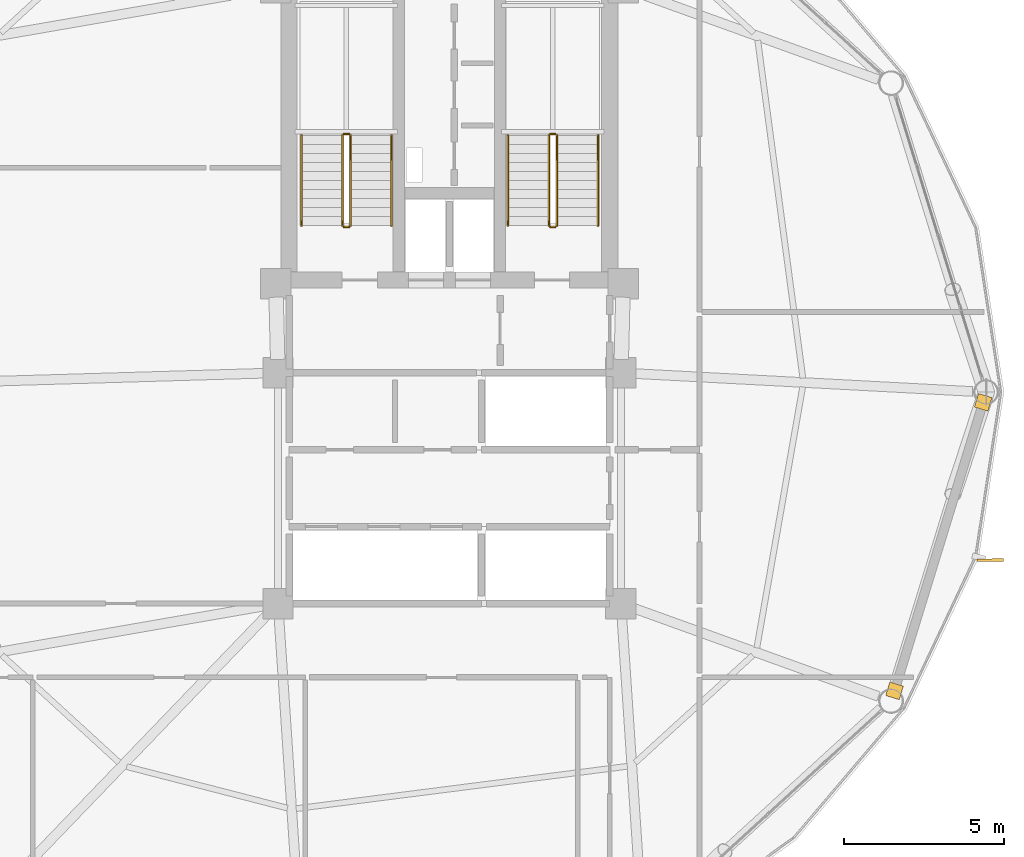
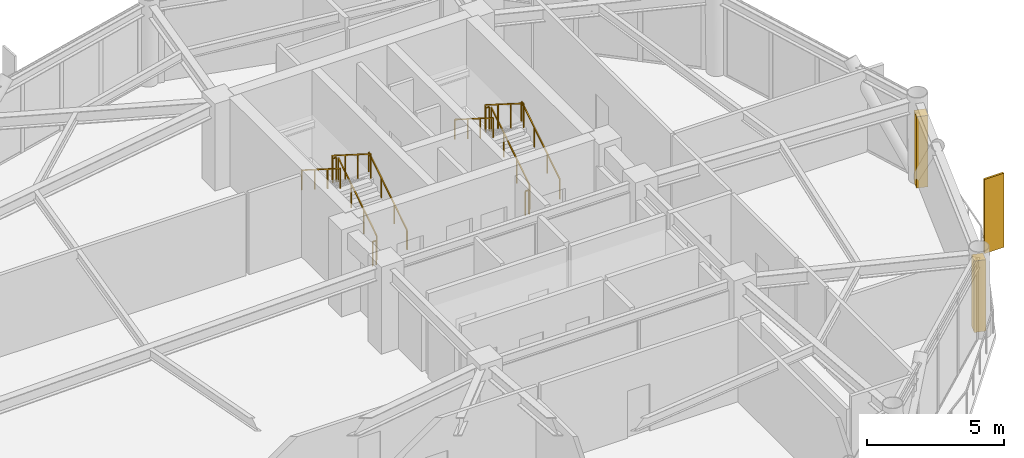
# One storey, part 24 of 25: 12 railings, 2 coverings, 1 shading device.
"""IFC4 building model written with IfcOpenShell, lengths in metres."""

from ifc_helpers import new_model, si_unit, direction, frame, origin, origin_2d, place, context, subcontext, project, spatial, rectangle, extrude, source, transform, mapped, material, layer, layer_set, type_object, type_shapes, element, save


model = new_model("IFC4")

# Units and contexts
model_context = context("Model", 3, precision=1e-05, world=origin(), true_north=direction((0.0, 1.0)))
body_context = subcontext(model_context, "Body", "Model", "MODEL_VIEW")
ifc_project = project(units=[si_unit("LENGTHUNIT", "METRE"), si_unit("AREAUNIT", "SQUARE_METRE"), si_unit("VOLUMEUNIT", "CUBIC_METRE"), si_unit("PLANEANGLEUNIT", "RADIAN"), si_unit("MASSUNIT", "GRAM", prefix="KILO")], contexts=[model_context])

# Site, building, storey
site_placement = place(None, origin())
site = spatial("IfcSite", under=ifc_project, at=site_placement, CompositionType="ELEMENT")
building_placement = place(site_placement, origin())
building = spatial("IfcBuilding", under=site, at=building_placement, Name="Varnakorn Sky Granary", CompositionType="ELEMENT")
storey_placement = place(building_placement, frame((0.0, 0.0, 122.699951171875)))
storey = spatial("IfcBuildingStorey", under=building, at=storey_placement, Name="L30", CompositionType="ELEMENT", Elevation=122.699951171875)

# Railings
ifc_material_1 = material(Name="Brushed Stainless Steel 316", Category="steel")
railing_type_1 = type_object("IfcRailingType", Name="RL-STAIR-1100", PredefinedType="GUARDRAIL", material=ifc_material_1)
railing_1_placement = place(storey_placement, frame((-0.090087890625, 5.199951171875, 0.17724609375)))
element("IfcRailing", 1, at=railing_1_placement, inside=storey, type_object=railing_type_1, Name="L30 ST-1 stair guard 1", PredefinedType="GUARDRAIL", context=body_context, shape_type="SweptSolid", body=[
    extrude(rectangle(XDim=0.048095703125, YDim=0.048095703125, at=origin_2d()), frame((0.0, 0.0, 1.076171875), z_axis=(0.0, 0.844908973607, 0.534910110503), x_axis=(-1.0, 0.0, 0.0)), (0.0, 0.0, 1.0), 3.31396484375),
    extrude(rectangle(XDim=0.0419921875, YDim=0.0419921875, at=origin_2d()), origin(), (0.0, 0.0, 1.0), 1.048095703125),
    extrude(rectangle(XDim=0.0419921875, YDim=0.0419921875, at=origin_2d()), frame((0.0, 0.933349609375, 0.5908203125)), (0.0, 0.0, 1.0), 1.048095703125),
    extrude(rectangle(XDim=0.0419921875, YDim=0.0419921875, at=origin_2d()), frame((0.0, 1.86669921875, 1.181884765625)), (0.0, 0.0, 1.0), 1.048095703125),
    extrude(rectangle(XDim=0.0419921875, YDim=0.0419921875, at=origin_2d()), frame((0.0, 2.800048828125, 1.772705078125)), (0.0, 0.0, 1.0), 1.048095703125),
])
railing_2_placement = place(storey_placement, frame((-0.139892578125, 8.050048828125, 1.949951171875)))
element("IfcRailing", 2, at=railing_2_placement, inside=storey, type_object=railing_type_1, Name="L30 ST-1 stair guard 2", PredefinedType="GUARDRAIL", context=body_context, shape_type="SweptSolid", body=[
    extrude(rectangle(XDim=0.048095703125, YDim=0.048095703125, at=origin_2d()), frame((0.0, 0.0, 1.076171875), z_axis=(-1.0, 0.0, 0.0), x_axis=(0.0, -1.0, 0.0)), (0.0, 0.0, 1.0), 0.150146484375),
    extrude(rectangle(XDim=0.0419921875, YDim=0.0419921875, at=origin_2d()), origin(), (0.0, 0.0, 1.0), 1.048095703125),
    extrude(rectangle(XDim=0.0419921875, YDim=0.0419921875, at=origin_2d()), frame((-0.150146484375, 0.0, 0.0)), (0.0, 0.0, 1.0), 1.048095703125),
])
railing_3_placement = place(storey_placement, frame((-0.340087890625, 8.0, 2.12744140625)))
element("IfcRailing", 3, at=railing_3_placement, inside=storey, type_object=railing_type_1, Name="L30 ST-1 stair guard 3", PredefinedType="GUARDRAIL", context=body_context, shape_type="SweptSolid", body=[
    extrude(rectangle(XDim=0.048095703125, YDim=0.048095703125, at=origin_2d()), frame((0.0, 0.0, 1.076171875), z_axis=(0.0, -0.844908973607, 0.534910110503), x_axis=(1.0, 0.0, 0.0)), (0.0, 0.0, 1.0), 3.31396484375),
    extrude(rectangle(XDim=0.0419921875, YDim=0.0419921875, at=origin_2d()), origin(), (0.0, 0.0, 1.0), 1.048095703125),
    extrude(rectangle(XDim=0.0419921875, YDim=0.0419921875, at=origin_2d()), frame((0.0, -0.933349609375, 0.5908203125)), (0.0, 0.0, 1.0), 1.048095703125),
    extrude(rectangle(XDim=0.0419921875, YDim=0.0419921875, at=origin_2d()), frame((0.0, -1.86669921875, 1.181884765625)), (0.0, 0.0, 1.0), 1.048095703125),
    extrude(rectangle(XDim=0.0419921875, YDim=0.0419921875, at=origin_2d()), frame((0.0, -2.800048828125, 1.772705078125)), (0.0, 0.0, 1.0), 1.048095703125),
])
railing_4_placement = place(storey_placement, frame((-0.139892578125, 5.14990234375, 0.0)))
element("IfcRailing", 4, at=railing_4_placement, inside=storey, type_object=railing_type_1, Name="L30 ST-1 stair guard 4", PredefinedType="GUARDRAIL", context=body_context, shape_type="SweptSolid", body=[
    extrude(rectangle(XDim=0.048095703125, YDim=0.048095703125, at=origin_2d()), frame((0.0, 0.0, 1.076171875), z_axis=(-1.0, 0.0, 0.0), x_axis=(0.0, -1.0, 0.0)), (0.0, 0.0, 1.0), 0.150146484375),
    extrude(rectangle(XDim=0.0419921875, YDim=0.0419921875, at=origin_2d()), origin(), (0.0, 0.0, 1.0), 1.048095703125),
    extrude(rectangle(XDim=0.0419921875, YDim=0.0419921875, at=origin_2d()), frame((-0.150146484375, 0.0, 0.0)), (0.0, 0.0, 1.0), 1.048095703125),
])
railing_5_placement = place(storey_placement, frame((6.35009765625, 5.199951171875, 0.17724609375)))
element("IfcRailing", 5, at=railing_5_placement, inside=storey, type_object=railing_type_1, Name="L30 ST-2 stair guard 1", PredefinedType="GUARDRAIL", context=body_context, shape_type="SweptSolid", body=[
    extrude(rectangle(XDim=0.048095703125, YDim=0.048095703125, at=origin_2d()), frame((0.0, 0.0, 1.076171875), z_axis=(0.0, 0.844908973607, 0.534910110503), x_axis=(-1.0, 0.0, 0.0)), (0.0, 0.0, 1.0), 3.31396484375),
    extrude(rectangle(XDim=0.0419921875, YDim=0.0419921875, at=origin_2d()), origin(), (0.0, 0.0, 1.0), 1.048095703125),
    extrude(rectangle(XDim=0.0419921875, YDim=0.0419921875, at=origin_2d()), frame((0.0, 0.933349609375, 0.5908203125)), (0.0, 0.0, 1.0), 1.048095703125),
    extrude(rectangle(XDim=0.0419921875, YDim=0.0419921875, at=origin_2d()), frame((0.0, 1.86669921875, 1.181884765625)), (0.0, 0.0, 1.0), 1.048095703125),
    extrude(rectangle(XDim=0.0419921875, YDim=0.0419921875, at=origin_2d()), frame((0.0, 2.800048828125, 1.772705078125)), (0.0, 0.0, 1.0), 1.048095703125),
])
railing_6_placement = place(storey_placement, frame((6.300048828125, 8.050048828125, 1.949951171875)))
element("IfcRailing", 6, at=railing_6_placement, inside=storey, type_object=railing_type_1, Name="L30 ST-2 stair guard 2", PredefinedType="GUARDRAIL", context=body_context, shape_type="SweptSolid", body=[
    extrude(rectangle(XDim=0.048095703125, YDim=0.048095703125, at=origin_2d()), frame((0.0, 0.0, 1.076171875), z_axis=(-1.0, 0.0, 0.0), x_axis=(0.0, -1.0, 0.0)), (0.0, 0.0, 1.0), 0.150146484375),
    extrude(rectangle(XDim=0.0419921875, YDim=0.0419921875, at=origin_2d()), origin(), (0.0, 0.0, 1.0), 1.048095703125),
    extrude(rectangle(XDim=0.0419921875, YDim=0.0419921875, at=origin_2d()), frame((-0.150146484375, 0.0, 0.0)), (0.0, 0.0, 1.0), 1.048095703125),
])
railing_7_placement = place(storey_placement, frame((6.10009765625, 8.0, 2.12744140625)))
element("IfcRailing", 7, at=railing_7_placement, inside=storey, type_object=railing_type_1, Name="L30 ST-2 stair guard 3", PredefinedType="GUARDRAIL", context=body_context, shape_type="SweptSolid", body=[
    extrude(rectangle(XDim=0.048095703125, YDim=0.048095703125, at=origin_2d()), frame((0.0, 0.0, 1.076171875), z_axis=(0.0, -0.844908973607, 0.534910110503), x_axis=(1.0, 0.0, 0.0)), (0.0, 0.0, 1.0), 3.31396484375),
    extrude(rectangle(XDim=0.0419921875, YDim=0.0419921875, at=origin_2d()), origin(), (0.0, 0.0, 1.0), 1.048095703125),
    extrude(rectangle(XDim=0.0419921875, YDim=0.0419921875, at=origin_2d()), frame((0.0, -0.933349609375, 0.5908203125)), (0.0, 0.0, 1.0), 1.048095703125),
    extrude(rectangle(XDim=0.0419921875, YDim=0.0419921875, at=origin_2d()), frame((0.0, -1.86669921875, 1.181884765625)), (0.0, 0.0, 1.0), 1.048095703125),
    extrude(rectangle(XDim=0.0419921875, YDim=0.0419921875, at=origin_2d()), frame((0.0, -2.800048828125, 1.772705078125)), (0.0, 0.0, 1.0), 1.048095703125),
])
railing_8_placement = place(storey_placement, frame((6.300048828125, 5.14990234375, 0.0)))
element("IfcRailing", 8, at=railing_8_placement, inside=storey, type_object=railing_type_1, Name="L30 ST-2 stair guard 4", PredefinedType="GUARDRAIL", context=body_context, shape_type="SweptSolid", body=[
    extrude(rectangle(XDim=0.048095703125, YDim=0.048095703125, at=origin_2d()), frame((0.0, 0.0, 1.076171875), z_axis=(-1.0, 0.0, 0.0), x_axis=(0.0, -1.0, 0.0)), (0.0, 0.0, 1.0), 0.150146484375),
    extrude(rectangle(XDim=0.0419921875, YDim=0.0419921875, at=origin_2d()), origin(), (0.0, 0.0, 1.0), 1.048095703125),
    extrude(rectangle(XDim=0.0419921875, YDim=0.0419921875, at=origin_2d()), frame((-0.150146484375, 0.0, 0.0)), (0.0, 0.0, 1.0), 1.048095703125),
])
railing_type_2 = type_object("IfcRailingType", Name="RL-STAIR-920", PredefinedType="HANDRAIL", material=ifc_material_1)
railing_9_placement = place(storey_placement, frame((1.18994140625, 5.199951171875, 0.17724609375)))
element("IfcRailing", 9, at=railing_9_placement, inside=storey, type_object=railing_type_2, Name="L30 ST-1 stair handrail 1", PredefinedType="HANDRAIL", context=body_context, shape_type="SweptSolid", body=[
    extrude(rectangle(XDim=0.048095703125, YDim=0.048095703125, at=origin_2d()), frame((0.0, 0.0, 0.8759765625), z_axis=(0.0, 0.844908973607, 0.534910110503), x_axis=(-1.0, 0.0, 0.0)), (0.0, 0.0, 1.0), 3.31396484375),
    extrude(rectangle(XDim=0.0419921875, YDim=0.0419921875, at=origin_2d()), origin(), (0.0, 0.0, 1.0), 0.847900390625),
    extrude(rectangle(XDim=0.0419921875, YDim=0.0419921875, at=origin_2d()), frame((0.0, 0.933349609375, 0.5908203125)), (0.0, 0.0, 1.0), 0.847900390625),
    extrude(rectangle(XDim=0.0419921875, YDim=0.0419921875, at=origin_2d()), frame((0.0, 1.86669921875, 1.181884765625)), (0.0, 0.0, 1.0), 0.847900390625),
    extrude(rectangle(XDim=0.0419921875, YDim=0.0419921875, at=origin_2d()), frame((0.0, 2.800048828125, 1.772705078125)), (0.0, 0.0, 1.0), 0.847900390625),
])
railing_10_placement = place(storey_placement, frame((-1.6201171875, 8.0, 2.12744140625)))
element("IfcRailing", 10, at=railing_10_placement, inside=storey, type_object=railing_type_2, Name="L30 ST-1 stair handrail 2", PredefinedType="HANDRAIL", context=body_context, shape_type="SweptSolid", body=[
    extrude(rectangle(XDim=0.048095703125, YDim=0.048095703125, at=origin_2d()), frame((0.0, 0.0, 0.8759765625), z_axis=(0.0, -0.844908973607, 0.534910110503), x_axis=(1.0, 0.0, 0.0)), (0.0, 0.0, 1.0), 3.31396484375),
    extrude(rectangle(XDim=0.0419921875, YDim=0.0419921875, at=origin_2d()), origin(), (0.0, 0.0, 1.0), 0.847900390625),
    extrude(rectangle(XDim=0.0419921875, YDim=0.0419921875, at=origin_2d()), frame((0.0, -0.933349609375, 0.5908203125)), (0.0, 0.0, 1.0), 0.847900390625),
    extrude(rectangle(XDim=0.0419921875, YDim=0.0419921875, at=origin_2d()), frame((0.0, -1.86669921875, 1.181884765625)), (0.0, 0.0, 1.0), 0.847900390625),
    extrude(rectangle(XDim=0.0419921875, YDim=0.0419921875, at=origin_2d()), frame((0.0, -2.800048828125, 1.772705078125)), (0.0, 0.0, 1.0), 0.847900390625),
])
railing_11_placement = place(storey_placement, frame((7.6298828125, 5.199951171875, 0.17724609375)))
element("IfcRailing", 11, at=railing_11_placement, inside=storey, type_object=railing_type_2, Name="L30 ST-2 stair handrail 1", PredefinedType="HANDRAIL", context=body_context, shape_type="SweptSolid", body=[
    extrude(rectangle(XDim=0.048095703125, YDim=0.048095703125, at=origin_2d()), frame((0.0, 0.0, 0.8759765625), z_axis=(0.0, 0.844908973607, 0.534910110503), x_axis=(-1.0, 0.0, 0.0)), (0.0, 0.0, 1.0), 3.31396484375),
    extrude(rectangle(XDim=0.0419921875, YDim=0.0419921875, at=origin_2d()), origin(), (0.0, 0.0, 1.0), 0.847900390625),
    extrude(rectangle(XDim=0.0419921875, YDim=0.0419921875, at=origin_2d()), frame((0.0, 0.933349609375, 0.5908203125)), (0.0, 0.0, 1.0), 0.847900390625),
    extrude(rectangle(XDim=0.0419921875, YDim=0.0419921875, at=origin_2d()), frame((0.0, 1.86669921875, 1.181884765625)), (0.0, 0.0, 1.0), 0.847900390625),
    extrude(rectangle(XDim=0.0419921875, YDim=0.0419921875, at=origin_2d()), frame((0.0, 2.800048828125, 1.772705078125)), (0.0, 0.0, 1.0), 0.847900390625),
])
railing_12_placement = place(storey_placement, frame((4.820068359375, 8.0, 2.12744140625)))
element("IfcRailing", 12, at=railing_12_placement, inside=storey, type_object=railing_type_2, Name="L30 ST-2 stair handrail 2", PredefinedType="HANDRAIL", context=body_context, shape_type="SweptSolid", body=[
    extrude(rectangle(XDim=0.048095703125, YDim=0.048095703125, at=origin_2d()), frame((0.0, 0.0, 0.8759765625), z_axis=(0.0, -0.844908973607, 0.534910110503), x_axis=(1.0, 0.0, 0.0)), (0.0, 0.0, 1.0), 3.31396484375),
    extrude(rectangle(XDim=0.0419921875, YDim=0.0419921875, at=origin_2d()), origin(), (0.0, 0.0, 1.0), 0.847900390625),
    extrude(rectangle(XDim=0.0419921875, YDim=0.0419921875, at=origin_2d()), frame((0.0, -0.933349609375, 0.5908203125)), (0.0, 0.0, 1.0), 0.847900390625),
    extrude(rectangle(XDim=0.0419921875, YDim=0.0419921875, at=origin_2d()), frame((0.0, -1.86669921875, 1.181884765625)), (0.0, 0.0, 1.0), 0.847900390625),
    extrude(rectangle(XDim=0.0419921875, YDim=0.0419921875, at=origin_2d()), frame((0.0, -2.800048828125, 1.772705078125)), (0.0, 0.0, 1.0), 0.847900390625),
])

# Shading device
ifc_material_2 = material(Name="Anodised Bronze Aluminium Alloy 6063-T6", Category="aluminium")
shading_device_type = type_object("IfcShadingDeviceType", Name="SH-FIN-02", PredefinedType="USERDEFINED", material=ifc_material_2)
shared_shape_1 = source(origin(), body_context, "Body", "SweptSolid", [
    extrude(rectangle(XDim=0.0849609375, YDim=0.820068359375, at=origin_2d()), origin(), (0.0, 0.0, 1.0), 3.300048828125),
])
type_shapes(shading_device_type, [shared_shape_1])
shading_device_placement = place(storey_placement, frame((19.873779296875, -5.242919921875, -0.0400390625), z_axis=(0.0, 0.0, 1.0), x_axis=(-0.007005043545, 0.999975464381, 0.0)))
element("IfcShadingDevice", 13, at=shading_device_placement, inside=storey, type_object=shading_device_type, Name="Bronze Solar-Tracking Vertical Blade FIN L30-12", ObjectType="FIN", PredefinedType="USERDEFINED", context=body_context, shape_type="MappedRepresentation", body=[
    mapped(shared_shape_1, transform((0.0, 0.0, 0.0), x_axis=(1.0, 0.0, 0.0), y_axis=(0.0, 1.0, 0.0), z_axis=(0.0, 0.0, 1.0), scale=1.0)),
])

# Coverings
ifc_layer = layer(ifc_material_2, 0.050048828125, Name="Anodised Bronze Aluminium Alloy 6063-T6")
ifc_layer_set = layer_set([ifc_layer], Name="Anodised Bronze Aluminium Alloy 6063-T6")
covering_type = type_object("IfcCoveringType", Name="CV-CLAD-50", PredefinedType="CLADDING", material=ifc_layer_set)
shared_shape_2 = source(origin(), body_context, "Body", "SweptSolid", [
    extrude(rectangle(XDim=0.43994140625, YDim=0.43994140625, at=origin_2d()), origin(), (0.0, 0.0, 1.0), 3.179931640625),
])
type_shapes(covering_type, [shared_shape_2])
for number, where, z_axis, x_axis, name in (
    (14, (19.6513671875, -0.3212890625, -0.02001953125), (0.0, 0.0, 1.0), (-0.293873503404, -0.955844319959, 0.0), "Bronze Corner Pilaster Closure L30-P12-A"),
    (15, (16.884765625, -9.32177734375, -0.02001953125), (0.0, 0.0, 1.0), (-0.293873503404, -0.955844319959, 0.0), "Bronze Corner Pilaster Closure L30-P12-B"),
):
    element("IfcCovering", number, at=place(storey_placement, frame(where, z_axis=z_axis, x_axis=x_axis)), inside=storey, type_object=covering_type, Name=name, PredefinedType="CLADDING", context=body_context, shape_type="MappedRepresentation", body=[
        mapped(shared_shape_2, transform((0.0, 0.0, 0.0), x_axis=(1.0, 0.0, 0.0), y_axis=(0.0, 1.0, 0.0), z_axis=(0.0, 0.0, 1.0), scale=1.0)),
    ])

save(model, "model.ifc")
